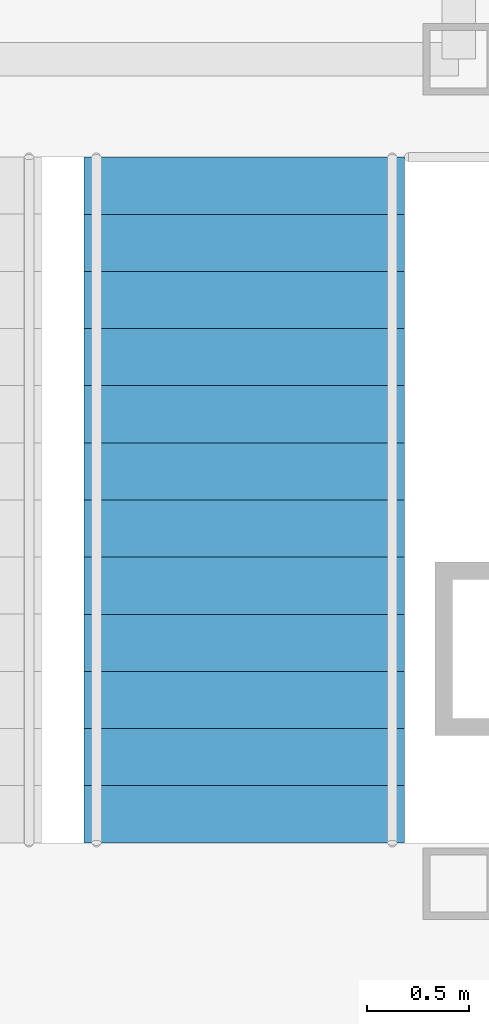
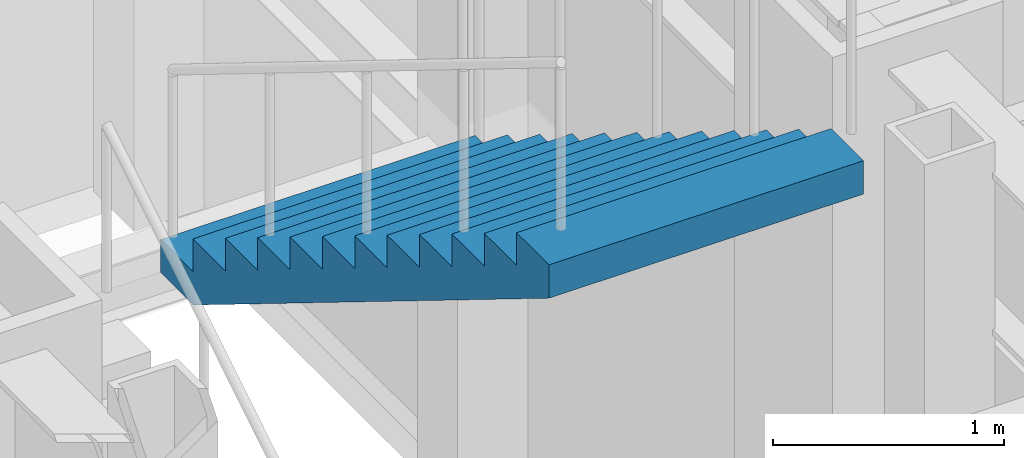
# One storey, part 13 of 17: 1 stair flight, 1 element without a shape of its own.
"""IFC4 building model written with IfcOpenShell, lengths in metres."""

import ifcopenshell
import ifcopenshell.guid

model = None  # the IFC model being written
_history = None  # IfcOwnerHistory: only IFC2X3 demands one
_inside = {}  # id of a spatial element -> (the spatial element, [elements in it])
_under = {}  # id of a project, library or spatial element -> (it, [spatial elements below it])
_declared = {}  # id of a project -> (the project, [libraries it declares])
_typed = {}  # id of a type object -> (the type object, [elements of that type])
_made_of = {}  # id of a material, layer set ... -> (it, [elements and type objects made of it])


def new_model(schema):
    """Start an empty IFC model of exactly this schema.

    Asked for "IFC4X3", IfcOpenShell would pick the latest addendum, in which some entities
    have other attributes; the version numbers below select the first issue.
    IFC2X3 requires an IfcOwnerHistory on every rooted entity: one is made here for all.
    """
    global model, _history
    if schema == "IFC4X3":
        model = ifcopenshell.file(schema_version=(4, 3, 0, 0))
    else:
        model = ifcopenshell.file(schema=schema)
    _inside.clear()
    _under.clear()
    _declared.clear()
    _typed.clear()
    _made_of.clear()
    _history = None
    if model.schema == "IFC2X3":
        org = make("IfcOrganization", Name="unknown")
        user = make(
            "IfcPersonAndOrganization",
            ThePerson=make("IfcPerson", FamilyName="unknown"),
            TheOrganization=org,
        )
        app = make(
            "IfcApplication",
            ApplicationDeveloper=org,
            Version="unknown",
            ApplicationFullName="unknown",
            ApplicationIdentifier="unknown",
        )
        _history = make(
            "IfcOwnerHistory",
            OwningUser=user,
            OwningApplication=app,
            ChangeAction="ADDED",
            CreationDate=0,
        )
    return model


def make(cls, **values):
    """One entity of the class cls with the attributes given. An attribute that is None is left unset."""
    return model.create_entity(
        cls, **{name: value for name, value in values.items() if value is not None}
    )


def rooted(cls, **values):
    """An entity with a GlobalId (a new one), such as an element, a storey or a relation."""
    return make(cls, GlobalId=ifcopenshell.guid.new(), OwnerHistory=_history, **values)


def si_unit(unit_type, name, prefix=None):
    """IfcSIUnit, for example si_unit("LENGTHUNIT", "METRE", prefix="MILLI")."""
    return make("IfcSIUnit", UnitType=unit_type, Prefix=prefix, Name=name)


def assignment(units):
    """IfcUnitAssignment: the units of a project."""
    return None if units is None else make("IfcUnitAssignment", Units=units)


def point(xyz):
    """IfcCartesianPoint."""
    return None if xyz is None else make("IfcCartesianPoint", Coordinates=xyz)


def direction(xyz):
    """IfcDirection."""
    return None if xyz is None else make("IfcDirection", DirectionRatios=xyz)


def frame(location, z_axis=None, x_axis=None):
    """IfcAxis2Placement3D, a coordinate frame: its origin and axes. An axis left out is left unset."""
    return make(
        "IfcAxis2Placement3D",
        Location=point(location),
        Axis=direction(z_axis),
        RefDirection=direction(x_axis),
    )


def origin():
    """The frame at (0, 0, 0) with its axes left unset."""
    return frame((0.0, 0.0, 0.0))


def place(relative_to, where):
    """IfcLocalPlacement: puts the frame where relative to a parent placement (None: the world)."""
    return make(
        "IfcLocalPlacement", PlacementRelTo=relative_to, RelativePlacement=where
    )


def context(
    kind, dimensions, precision=None, world=None, true_north=None, identifier=None
):
    """IfcGeometricRepresentationContext, for example the 3D "Model" context."""
    return make(
        "IfcGeometricRepresentationContext",
        ContextIdentifier=identifier,
        ContextType=kind,
        CoordinateSpaceDimension=dimensions,
        Precision=precision,
        WorldCoordinateSystem=world,
        TrueNorth=true_north,
    )


def subcontext(parent, identifier, kind, view, scale=None):
    """IfcGeometricRepresentationSubContext, for example "Body" below "Model"."""
    return make(
        "IfcGeometricRepresentationSubContext",
        ContextIdentifier=identifier,
        ContextType=kind,
        ParentContext=parent,
        TargetScale=scale,
        TargetView=view,
    )


def project(units=None, contexts=None):
    """IfcProject with its units and contexts."""
    return rooted(
        "IfcProject",
        Name="project",
        RepresentationContexts=contexts,
        UnitsInContext=assignment(units),
    )


def spatial(cls, under=None, at=None, **own):
    """A site, building, storey or space (cls), placed at a placement, below another one or the project."""
    s = rooted(cls, ObjectPlacement=at, **own)
    if under is not None:
        _under.setdefault(under.id(), (under, []))[1].append(s)
    return s


def faces_of(points, faces, orient=None, outer=None):
    """IfcFace entities. A face is a list of loops; a loop is a list of indices into points, from 0.

    orient and outer hold one flag for each loop. By default every Orientation is true, the
    first loop of a face is its IfcFaceOuterBound and the others are IfcFaceBound.
    """
    made = []
    for i, loops in enumerate(faces):
        bounds = []
        for j, loop in enumerate(loops):
            is_outer = j == 0 if outer is None else outer[i][j]
            bounds.append(
                make(
                    "IfcFaceOuterBound" if is_outer else "IfcFaceBound",
                    Bound=make("IfcPolyLoop", Polygon=[points[k] for k in loop]),
                    Orientation=True if orient is None else orient[i][j],
                )
            )
        made.append(make("IfcFace", Bounds=bounds))
    return made


def faceted_brep(points, faces, orient=None, outer=None, voids=None):
    """IfcFacetedBrep: a solid bounded by flat faces; with voids (closed shells), ...WithVoids."""
    shared = [point(p) for p in points]
    hull = make("IfcClosedShell", CfsFaces=faces_of(shared, faces, orient, outer))
    if voids is None:
        return make("IfcFacetedBrep", Outer=hull)
    return make(
        "IfcFacetedBrepWithVoids",
        Outer=hull,
        Voids=[
            make(cls, CfsFaces=faces_of(shared, fs, o, b)) for cls, fs, o, b in voids
        ],
    )


def shape(context_of_items, identifier, shape_type, items):
    """IfcShapeRepresentation: the items that make up one representation, for example the "Body"."""
    return make(
        "IfcShapeRepresentation",
        ContextOfItems=context_of_items,
        RepresentationIdentifier=identifier,
        RepresentationType=shape_type,
        Items=items,
    )


def material(Name=None, Category=None):
    """IfcMaterial."""
    return make("IfcMaterial", Name=Name, Category=Category)


def made_of(thing, what):
    """Note that an element or type object is made of a material, layer set ...; save() writes the relation."""
    if what is not None:
        _made_of.setdefault(what.id(), (what, []))[1].append(thing)
    return thing


def type_object(cls, material=None, **own):
    """A type object (cls), such as IfcWallType, which elements share."""
    return made_of(rooted(cls, **own), material)


def element(
    cls,
    number,
    at=None,
    inside=None,
    cuts=None,
    type_object=None,
    material=None,
    context=None,
    identifier="Body",
    shape_type=None,
    held_by="IfcProductDefinitionShape",
    body=None,
    shapes=None,
    **own,
):
    """One element of the class cls, such as IfcWall. Its Tag is "e" and its number.

    at: its placement. inside: the storey or other place that contains it. cuts: it is an
    opening in that element (IfcRelVoidsElement). A single representation is given by context,
    identifier, shape_type and body (its items); several are given by shapes. held_by: the class
    of the entity that holds the representations. save() writes the other relations.
    """
    e = rooted(cls, Tag="e%d" % number, ObjectPlacement=at, **own)
    if body is not None:
        shapes = [shape(context, identifier, shape_type, body)]
    if shapes is not None:
        e.Representation = make(held_by, Representations=shapes)
    if inside is not None:
        _inside.setdefault(inside.id(), (inside, []))[1].append(e)
    if cuts is not None:
        rooted(
            "IfcRelVoidsElement", RelatingBuildingElement=cuts, RelatedOpeningElement=e
        )
    if type_object is not None:
        _typed.setdefault(type_object.id(), (type_object, []))[1].append(e)
    return made_of(e, material)


def aggregate(whole, parts):
    """IfcRelAggregates: a whole, such as a stair, and the parts it consists of."""
    return rooted("IfcRelAggregates", RelatingObject=whole, RelatedObjects=parts)


def save(model, path):
    """Write the relations noted so far, then the file.

    IfcRelAggregates (storeys below a building ...), IfcRelContainedInSpatialStructure (elements
    in a storey), IfcRelDefinesByType, IfcRelAssociatesMaterial and IfcRelDeclares: one each for
    every whole, place, type object, material and project.
    """
    for whole, parts in _under.values():
        aggregate(whole, parts)
    for where, things in _inside.values():
        rooted(
            "IfcRelContainedInSpatialStructure",
            RelatedElements=things,
            RelatingStructure=where,
        )
    for kind, things in _typed.values():
        rooted("IfcRelDefinesByType", RelatedObjects=things, RelatingType=kind)
    for what, things in _made_of.values():
        rooted("IfcRelAssociatesMaterial", RelatedObjects=things, RelatingMaterial=what)
    for by, libraries in _declared.values():
        rooted("IfcRelDeclares", RelatingContext=by, RelatedDefinitions=libraries)
    model.write(path)


model = new_model("IFC4")

# Units and contexts
model_context = context("Model", 3, precision=1e-05, world=origin(), true_north=direction((0.0, 1.0)))
body_context = subcontext(model_context, "Body", "Model", "MODEL_VIEW")
ifc_project = project(units=[si_unit("LENGTHUNIT", "METRE"), si_unit("AREAUNIT", "SQUARE_METRE"), si_unit("VOLUMEUNIT", "CUBIC_METRE"), si_unit("PLANEANGLEUNIT", "RADIAN"), si_unit("MASSUNIT", "GRAM", prefix="KILO")], contexts=[model_context])

# Site, building, storey
site_placement = place(None, origin())
site = spatial("IfcSite", under=ifc_project, at=site_placement, CompositionType="ELEMENT")
building_placement = place(site_placement, origin())
building = spatial("IfcBuilding", under=site, at=building_placement, Name="Chuquiago Exchange Tower", CompositionType="ELEMENT")
storey_placement = place(building_placement, frame((0.0, 0.0, 91.800048828125)))
storey = spatial("IfcBuildingStorey", under=building, at=storey_placement, Name="L19", CompositionType="ELEMENT", Elevation=91.800048828125)

# Stair, stair flight
ifc_material_1 = material(Name="Concrete C30/37, precast", Category="concrete")
stair_type = type_object("IfcStairType", Name="ST2 half-turn stair 4500", PredefinedType="HALF_TURN_STAIR", material=ifc_material_1)
stair_placement = place(storey_placement, origin())
stair = element("IfcStair", 1, at=stair_placement, inside=storey, type_object=stair_type, Name="Stair ST2 L19", PredefinedType="HALF_TURN_STAIR")
ifc_material_2 = material(Name="Concrete C30/37, precast", Category="concrete")
stair_flight_type = type_object("IfcStairFlightType", Name="ST-F flight 1570 for 4500 storey", PredefinedType="STRAIGHT", material=ifc_material_2)
stair_flight_placement = place(storey_placement, frame((31.639892578125, 26.409912109375, 2.25), z_axis=(0.0, 0.0, 1.0), x_axis=(0.0, -1.0, 0.0)))
stair_flight = element("IfcStairFlight", 2, at=stair_flight_placement, type_object=stair_flight_type, Name="ST2 flight 2", NumberOfRisers=13, NumberOfTreads=12, PredefinedType="STRAIGHT", RiserHeight=0.173076923, TreadLength=0.28, context=body_context, shape_type="Brep", body=[
    faceted_brep([(0.0, 0.78515625, 0.0), (0.0, 0.78515625, 0.173095703125), (0.280029296875, 0.78515625, 0.173095703125), (0.280029296875, 0.78515625, 0.34619140625), (0.56005859375, 0.78515625, 0.34619140625), (0.56005859375, 0.78515625, 0.519287109375), (0.840087890625, 0.78515625, 0.519287109375), (0.840087890625, 0.78515625, 0.6923828125), (1.1201171875, 0.78515625, 0.6923828125), (1.1201171875, 0.78515625, 0.865478515625), (1.39990234375, 0.78515625, 0.865478515625), (1.39990234375, 0.78515625, 1.03857421875), (1.679931640625, 0.78515625, 1.03857421875), (1.679931640625, 0.78515625, 1.21142578125), (1.9599609375, 0.78515625, 1.21142578125), (1.9599609375, 0.78515625, 1.384521484375), (2.239990234375, 0.78515625, 1.384521484375), (2.239990234375, 0.78515625, 1.5576171875), (2.52001953125, 0.78515625, 1.5576171875), (2.52001953125, 0.78515625, 1.730712890625), (2.800048828125, 0.78515625, 1.730712890625), (2.800048828125, 0.78515625, 1.90380859375), (3.080078125, 0.78515625, 1.90380859375), (3.080078125, 0.78515625, 2.076904296875), (3.360107421875, 0.78515625, 2.076904296875), (3.360107421875, 0.78515625, 1.900634765625), (0.28515625, 0.78515625, 0.0), (0.28515625, -0.78515625, 0.0), (3.360107421875, -0.78515625, 1.900634765625), (3.360107421875, -0.78515625, 2.076904296875), (3.080078125, -0.78515625, 2.076904296875), (3.080078125, -0.78515625, 1.90380859375), (2.800048828125, -0.78515625, 1.90380859375), (2.800048828125, -0.78515625, 1.730712890625), (2.52001953125, -0.78515625, 1.730712890625), (2.52001953125, -0.78515625, 1.5576171875), (2.239990234375, -0.78515625, 1.5576171875), (2.239990234375, -0.78515625, 1.384521484375), (1.9599609375, -0.78515625, 1.384521484375), (1.9599609375, -0.78515625, 1.21142578125), (1.679931640625, -0.78515625, 1.21142578125), (1.679931640625, -0.78515625, 1.03857421875), (1.39990234375, -0.78515625, 1.03857421875), (1.39990234375, -0.78515625, 0.865478515625), (1.1201171875, -0.78515625, 0.865478515625), (1.1201171875, -0.78515625, 0.6923828125), (0.840087890625, -0.78515625, 0.6923828125), (0.840087890625, -0.78515625, 0.519287109375), (0.56005859375, -0.78515625, 0.519287109375), (0.56005859375, -0.78515625, 0.34619140625), (0.280029296875, -0.78515625, 0.34619140625), (0.280029296875, -0.78515625, 0.173095703125), (0.0, -0.78515625, 0.173095703125), (0.0, -0.78515625, 0.0), (0.0, 0.392578125, 0.0), (0.0, 0.392578125, 0.173095703125), (0.0, 0.0, 0.0), (0.0, 0.0, 0.173095703125), (0.0, -0.392578125, 0.0), (0.0, -0.392578125, 0.173095703125), (0.280029296875, 0.392578125, 0.173095703125), (0.280029296875, 0.0, 0.173095703125), (0.280029296875, -0.392578125, 0.173095703125), (0.280029296875, 0.392578125, 0.34619140625), (0.280029296875, 0.0, 0.34619140625), (0.280029296875, -0.392578125, 0.34619140625), (0.56005859375, 0.392578125, 0.34619140625), (0.56005859375, 0.0, 0.34619140625), (0.56005859375, -0.392578125, 0.34619140625), (0.56005859375, 0.392578125, 0.519287109375), (0.56005859375, 0.0, 0.519287109375), (0.56005859375, -0.392578125, 0.519287109375), (0.840087890625, 0.392578125, 0.519287109375), (0.840087890625, 0.0, 0.519287109375), (0.840087890625, -0.392578125, 0.519287109375), (0.840087890625, 0.392578125, 0.6923828125), (0.840087890625, 0.0, 0.6923828125), (0.840087890625, -0.392578125, 0.6923828125), (1.1201171875, 0.392578125, 0.6923828125), (1.1201171875, 0.0, 0.6923828125), (1.1201171875, -0.392578125, 0.6923828125), (1.1201171875, 0.392578125, 0.865478515625), (1.1201171875, 0.0, 0.865478515625), (1.1201171875, -0.392578125, 0.865478515625), (1.39990234375, 0.392578125, 0.865478515625), (1.39990234375, 0.0, 0.865478515625), (1.39990234375, -0.392578125, 0.865478515625), (1.39990234375, 0.392578125, 1.03857421875), (1.39990234375, 0.0, 1.03857421875), (1.39990234375, -0.392578125, 1.03857421875), (1.679931640625, 0.392578125, 1.03857421875), (1.679931640625, 0.0, 1.03857421875), (1.679931640625, -0.392578125, 1.03857421875), (1.679931640625, 0.392578125, 1.21142578125), (1.679931640625, 0.0, 1.21142578125), (1.679931640625, -0.392578125, 1.21142578125), (1.9599609375, 0.392578125, 1.21142578125), (1.9599609375, 0.0, 1.21142578125), (1.9599609375, -0.392578125, 1.21142578125), (1.9599609375, 0.392578125, 1.384521484375), (1.9599609375, 0.0, 1.384521484375), (1.9599609375, -0.392578125, 1.384521484375), (2.239990234375, 0.392578125, 1.384521484375), (2.239990234375, 0.0, 1.384521484375), (2.239990234375, -0.392578125, 1.384521484375), (2.239990234375, 0.392578125, 1.5576171875), (2.239990234375, 0.0, 1.5576171875), (2.239990234375, -0.392578125, 1.5576171875), (2.52001953125, 0.392578125, 1.5576171875), (2.52001953125, 0.0, 1.5576171875), (2.52001953125, -0.392578125, 1.5576171875), (2.52001953125, 0.392578125, 1.730712890625), (2.52001953125, 0.0, 1.730712890625), (2.52001953125, -0.392578125, 1.730712890625), (2.800048828125, 0.392578125, 1.730712890625), (2.800048828125, 0.0, 1.730712890625), (2.800048828125, -0.392578125, 1.730712890625), (2.800048828125, 0.392578125, 1.90380859375), (2.800048828125, 0.0, 1.90380859375), (2.800048828125, -0.392578125, 1.90380859375), (3.080078125, 0.392578125, 1.90380859375), (3.080078125, 0.0, 1.90380859375), (3.080078125, -0.392578125, 1.90380859375), (3.080078125, 0.392578125, 2.076904296875), (3.080078125, 0.0, 2.076904296875), (3.080078125, -0.392578125, 2.076904296875), (3.360107421875, 0.392578125, 2.076904296875), (3.360107421875, 0.0, 2.076904296875), (3.360107421875, -0.392578125, 2.076904296875), (3.360107421875, 0.392578125, 1.900634765625), (3.360107421875, 0.0, 1.900634765625), (3.360107421875, -0.392578125, 1.900634765625), (0.28515625, 0.392578125, 0.0), (0.28515625, 0.0, 0.0), (0.28515625, -0.392578125, 0.0)], [[[0, 1, 2, 3, 4, 5, 6, 7, 8, 9, 10, 11, 12, 13, 14, 15, 16, 17, 18, 19, 20, 21, 22, 23, 24, 25, 26]], [[27, 28, 29, 30, 31, 32, 33, 34, 35, 36, 37, 38, 39, 40, 41, 42, 43, 44, 45, 46, 47, 48, 49, 50, 51, 52, 53]], [[1, 0, 54, 55]], [[55, 54, 56, 57]], [[57, 56, 58, 59]], [[59, 58, 53, 52]], [[2, 1, 55, 60]], [[60, 55, 57, 61]], [[61, 57, 59, 62]], [[62, 59, 52, 51]], [[3, 2, 60, 63]], [[63, 60, 61, 64]], [[64, 61, 62, 65]], [[65, 62, 51, 50]], [[4, 3, 63, 66]], [[66, 63, 64, 67]], [[67, 64, 65, 68]], [[68, 65, 50, 49]], [[5, 4, 66, 69]], [[69, 66, 67, 70]], [[70, 67, 68, 71]], [[71, 68, 49, 48]], [[6, 5, 69, 72]], [[72, 69, 70, 73]], [[73, 70, 71, 74]], [[74, 71, 48, 47]], [[7, 6, 72, 75]], [[75, 72, 73, 76]], [[76, 73, 74, 77]], [[77, 74, 47, 46]], [[8, 7, 75, 78]], [[78, 75, 76, 79]], [[79, 76, 77, 80]], [[80, 77, 46, 45]], [[9, 8, 78, 81]], [[81, 78, 79, 82]], [[82, 79, 80, 83]], [[83, 80, 45, 44]], [[10, 9, 81, 84]], [[84, 81, 82, 85]], [[85, 82, 83, 86]], [[86, 83, 44, 43]], [[11, 10, 84, 87]], [[87, 84, 85, 88]], [[88, 85, 86, 89]], [[89, 86, 43, 42]], [[12, 11, 87, 90]], [[90, 87, 88, 91]], [[91, 88, 89, 92]], [[92, 89, 42, 41]], [[13, 12, 90, 93]], [[93, 90, 91, 94]], [[94, 91, 92, 95]], [[95, 92, 41, 40]], [[14, 13, 93, 96]], [[96, 93, 94, 97]], [[97, 94, 95, 98]], [[98, 95, 40, 39]], [[15, 14, 96, 99]], [[99, 96, 97, 100]], [[100, 97, 98, 101]], [[101, 98, 39, 38]], [[16, 15, 99, 102]], [[102, 99, 100, 103]], [[103, 100, 101, 104]], [[104, 101, 38, 37]], [[17, 16, 102, 105]], [[105, 102, 103, 106]], [[106, 103, 104, 107]], [[107, 104, 37, 36]], [[18, 17, 105, 108]], [[108, 105, 106, 109]], [[109, 106, 107, 110]], [[110, 107, 36, 35]], [[19, 18, 108, 111]], [[111, 108, 109, 112]], [[112, 109, 110, 113]], [[113, 110, 35, 34]], [[20, 19, 111, 114]], [[114, 111, 112, 115]], [[115, 112, 113, 116]], [[116, 113, 34, 33]], [[21, 20, 114, 117]], [[117, 114, 115, 118]], [[118, 115, 116, 119]], [[119, 116, 33, 32]], [[22, 21, 117, 120]], [[120, 117, 118, 121]], [[121, 118, 119, 122]], [[122, 119, 32, 31]], [[23, 22, 120, 123]], [[123, 120, 121, 124]], [[124, 121, 122, 125]], [[125, 122, 31, 30]], [[24, 23, 123, 126]], [[126, 123, 124, 127]], [[127, 124, 125, 128]], [[128, 125, 30, 29]], [[25, 24, 126, 129]], [[129, 126, 127, 130]], [[130, 127, 128, 131]], [[131, 128, 29, 28]], [[26, 25, 129, 132]], [[132, 129, 130, 133]], [[133, 130, 131, 134]], [[134, 131, 28, 27]], [[0, 26, 132, 54]], [[54, 132, 133, 56]], [[56, 133, 134, 58]], [[58, 134, 27, 53]]]),
])
aggregate(stair, [stair_flight])

save(model, "model.ifc")
